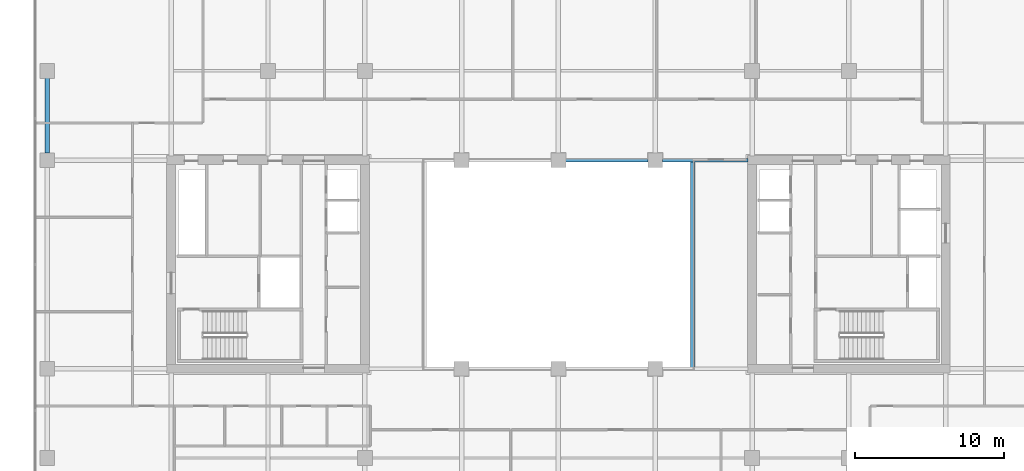
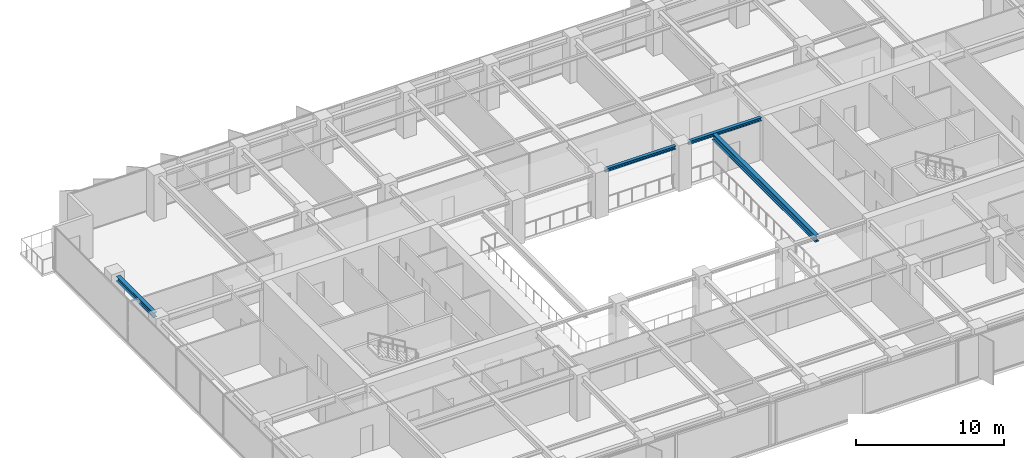
# One storey, part 7 of 22: 4 beams.
"""IFC4 building model written with IfcOpenShell, lengths in metres."""

from ifc_helpers import new_model, si_unit, direction, frame, origin, origin_2d, place, context, subcontext, project, spatial, i_section, extrude, material, material_profile, profile_set, type_object, element, save


model = new_model("IFC4")

# Units and contexts
model_context = context("Model", 3, precision=1e-05, world=origin(), true_north=direction((0.0, 1.0)))
body_context = subcontext(model_context, "Body", "Model", "MODEL_VIEW")
ifc_project = project(units=[si_unit("LENGTHUNIT", "METRE"), si_unit("AREAUNIT", "SQUARE_METRE"), si_unit("VOLUMEUNIT", "CUBIC_METRE"), si_unit("PLANEANGLEUNIT", "RADIAN"), si_unit("MASSUNIT", "GRAM", prefix="KILO")], contexts=[model_context])

# Site, building, storey
site_placement = place(None, origin())
site = spatial("IfcSite", under=ifc_project, at=site_placement, CompositionType="ELEMENT")
building_placement = place(site_placement, origin())
building = spatial("IfcBuilding", under=site, at=building_placement, Name="Putna Gate Headquarters", CompositionType="ELEMENT")
storey_placement = place(building_placement, frame((0.0, 0.0, 155.60009765625)))
storey = spatial("IfcBuildingStorey", under=building, at=storey_placement, Name="L38", CompositionType="ELEMENT", Elevation=155.60009765625)

# Beams
ifc_material = material(Name="Steel S355J2", Category="steel")
ifc_material_profile_1 = material_profile(ifc_material, i_section(OverallWidth=0.260009765625, OverallDepth=0.260009765625, WebThickness=0.010009765625, FlangeThickness=0.017578125, at=origin_2d()), Name="Steel S355J2")
ifc_profile_set_1 = profile_set([ifc_material_profile_1], Name="Steel S355J2")
beam_type_1 = type_object("IfcBeamType", Name="BM-ATRIUM-HEB260", PredefinedType="BEAM", material=ifc_profile_set_1)
beam_1_placement = place(storey_placement, frame((39.488037109375, 33.0, 3.44189453125), z_axis=(1.0, 0.0, 0.0), x_axis=(0.0, 1.0, 0.0)))
element("IfcBeam", 1, at=beam_1_placement, inside=storey, type_object=beam_type_1, Name="L38 Atrium Edge Beam AN3", PredefinedType="BEAM", context=body_context, shape_type="SweptSolid", body=[
    extrude(i_section(OverallWidth=0.260009765625, OverallDepth=0.260009765625, WebThickness=0.010009765625, FlangeThickness=0.017578125, at=origin_2d()), origin(), (0.0, 0.0, 1.0), 5.52392578125),
])
beam_2_placement = place(storey_placement, frame((45.988037109375, 33.0, 3.44189453125), z_axis=(1.0, 0.0, 0.0), x_axis=(0.0, 1.0, 0.0)))
element("IfcBeam", 2, at=beam_2_placement, inside=storey, type_object=beam_type_1, Name="L38 Atrium Edge Beam AN4", PredefinedType="BEAM", context=body_context, shape_type="SweptSolid", body=[
    extrude(i_section(OverallWidth=0.260009765625, OverallDepth=0.260009765625, WebThickness=0.010009765625, FlangeThickness=0.017578125, at=origin_2d()), origin(), (0.0, 0.0, 1.0), 5.72705078125),
])
ifc_material_profile_2 = material_profile(ifc_material, i_section(OverallWidth=0.300048828125, OverallDepth=0.550048828125, WebThickness=0.014892578125, FlangeThickness=0.029052734375, at=origin_2d()), Name="Steel S355J2")
ifc_profile_set_2 = profile_set([ifc_material_profile_2], Name="Steel S355J2")
beam_type_2 = type_object("IfcBeamType", Name="BM-GIRD-Z3-HEB550", PredefinedType="USERDEFINED", material=ifc_profile_set_2)
beam_3_placement = place(storey_placement, frame((48.0, 19.010009765625, 3.296875), z_axis=(0.0, 1.0, 0.0), x_axis=(-1.0, 0.0, 0.0)))
element("IfcBeam", 3, at=beam_3_placement, inside=storey, type_object=beam_type_2, Name="L38 Atrium Trim Girder AE", ObjectType="GIRDER", PredefinedType="USERDEFINED", context=body_context, shape_type="SweptSolid", body=[
    extrude(i_section(OverallWidth=0.300048828125, OverallDepth=0.550048828125, WebThickness=0.014892578125, FlangeThickness=0.029052734375, at=origin_2d()), origin(), (0.0, 0.0, 1.0), 13.97998046875),
])
ifc_material_profile_3 = material_profile(ifc_material, i_section(OverallWidth=0.300048828125, OverallDepth=0.39990234375, WebThickness=0.013427734375, FlangeThickness=0.02392578125, at=origin_2d()), Name="Steel S355J2")
ifc_profile_set_3 = profile_set([ifc_material_profile_3], Name="Steel S355J2")
beam_type_3 = type_object("IfcBeamType", Name="BM-SPAN-Z3-HEB400", PredefinedType="SPANDREL", material=ifc_profile_set_3)
beam_4_placement = place(storey_placement, frame((4.679931640625, 33.488037109375, 3.371826171875), z_axis=(0.0, 1.0, 0.0), x_axis=(-1.0, 0.0, 0.0)))
element("IfcBeam", 4, at=beam_4_placement, inside=storey, type_object=beam_type_3, Name="L38 W End Spandrel 3", PredefinedType="SPANDREL", context=body_context, shape_type="SweptSolid", body=[
    extrude(i_section(OverallWidth=0.300048828125, OverallDepth=0.39990234375, WebThickness=0.013427734375, FlangeThickness=0.02392578125, at=origin_2d()), origin(), (0.0, 0.0, 1.0), 5.02392578125),
])

save(model, "model.ifc")
